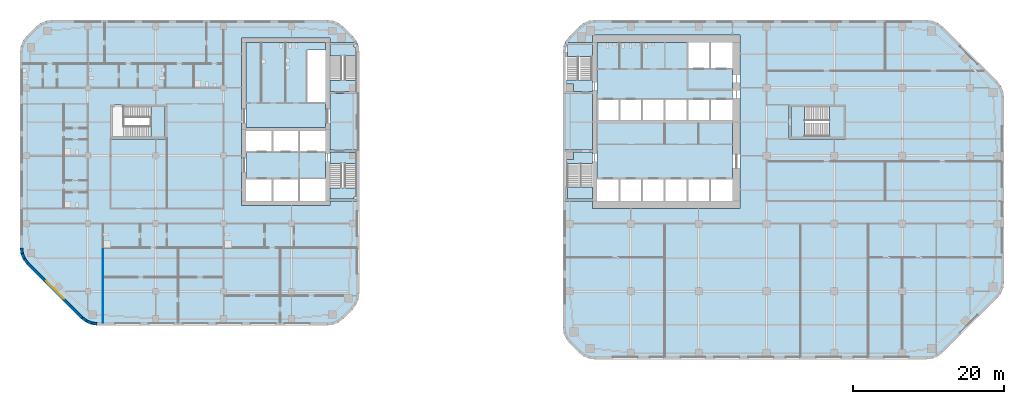
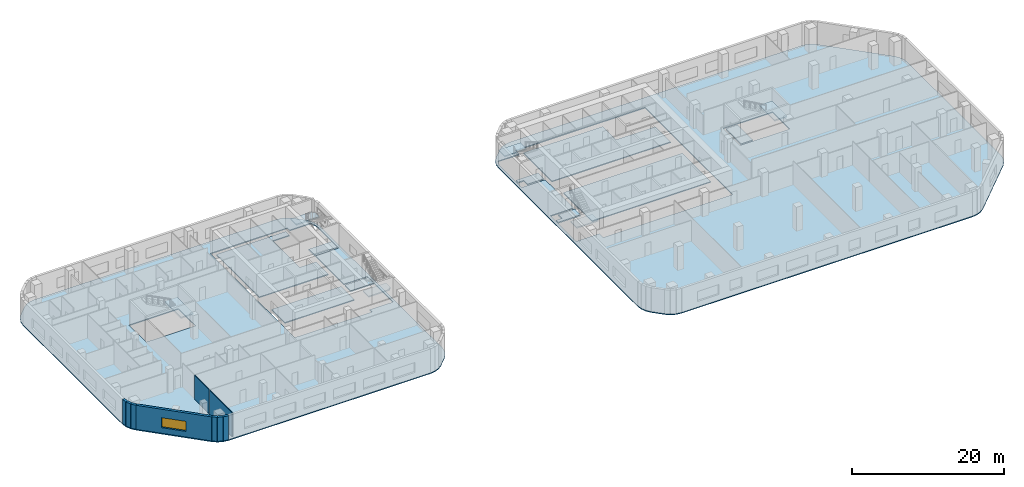
# One storey, part 4 of 16: 17 slabs, 9 walls, 1 window, 1 opening, 6 elements without a shape of their own.
"""IFC4 building model written with IfcOpenShell, lengths in metres."""

from ifc_helpers import new_model, si_unit, direction, frame, frame_2d, origin, place, context, subcontext, project, spatial, polyline, rectangle, outline, extrude, material, layer, layer_set, type_object, element, fill, aggregate, save


model = new_model("IFC4")

# Units and contexts
model_context = context("Model", 3, precision=1e-05, world=origin(), true_north=direction((0.0, 1.0)))
body_context = subcontext(model_context, "Body", "Model", "MODEL_VIEW")
ifc_project = project(units=[si_unit("LENGTHUNIT", "METRE"), si_unit("AREAUNIT", "SQUARE_METRE"), si_unit("VOLUMEUNIT", "CUBIC_METRE"), si_unit("PLANEANGLEUNIT", "RADIAN"), si_unit("MASSUNIT", "GRAM", prefix="KILO")], contexts=[model_context])

# Site, building, storey
site_placement = place(None, origin())
site = spatial("IfcSite", under=ifc_project, at=site_placement, CompositionType="ELEMENT")
building_placement = place(site_placement, origin())
building = spatial("IfcBuilding", under=site, at=building_placement, Name="Cinnabar Reach Civic Tower", CompositionType="ELEMENT")
storey_placement = place(building_placement, frame((0.0, 0.0, 34.0)))
storey = spatial("IfcBuildingStorey", under=building, at=storey_placement, Name="L07", CompositionType="ELEMENT", Elevation=34.0)

# Slabs
ifc_material_1 = material(Name="Concrete C40", Category="concrete")
ifc_layer_1 = layer(ifc_material_1, 0.15)
ifc_layer_set_1 = layer_set([ifc_layer_1], Name="Composite floor slab 150 REI 120")
slab_type_1 = type_object("IfcSlabType", Name="Composite floor slab 150 REI 120", PredefinedType="FLOOR", material=ifc_layer_set_1)
slab_1_placement = place(storey_placement, frame((0.0, 0.0, -0.15)))
element("IfcSlab", 1, at=slab_1_placement, inside=storey, type_object=slab_type_1, Name="Composite floor slab 150 T2 L07", PredefinedType="FLOOR", context=body_context, shape_type="SweptSolid", body=[
    extrude(outline(polyline([(-71.1213, 12.6213), (-71.5981, 13.2426), (-71.8978, 13.9662), (-72.0, 14.7426), (-72.0, 40.7574), (-71.8978, 41.5338), (-71.5981, 42.2574), (-71.1213, 42.8787), (-69.8787, 44.1213), (-69.2574, 44.5981), (-68.5338, 44.8978), (-67.7574, 45.0), (-31.2426, 45.0), (-30.4662, 44.8978), (-29.7426, 44.5981), (-29.1213, 44.1213), (-27.8787, 42.8787), (-27.4019, 42.2574), (-27.1022, 41.5338), (-27.0, 40.7574), (-27.0, 8.7426), (-27.1022, 7.9662), (-27.4019, 7.2426), (-27.8787, 6.6213), (-29.1213, 5.3787), (-29.7426, 4.9019), (-30.4662, 4.6022), (-31.2426, 4.5), (-61.7574, 4.5), (-62.5338, 4.6022), (-63.2574, 4.9019), (-63.8787, 5.3787), (-71.1213, 12.6213)]), holes=[polyline([(-30.9, 27.75), (-30.9, 35.25), (-27.36, 35.25), (-27.36, 40.7338), (-27.453, 41.4398), (-27.685, 42.0), (-30.9, 42.0), (-30.9, 42.6), (-42.6, 42.6), (-42.6, 20.4), (-30.9, 20.4), (-30.9, 21.0), (-27.36, 21.0), (-27.36, 27.75), (-30.9, 27.75)]), polyline([(-60.0, 33.75), (-60.0, 29.25), (-52.5, 29.25), (-52.5, 33.75), (-60.0, 33.75)])]), origin(), (0.0, 0.0, 1.0), 0.15),
])
ifc_layer_2 = layer(ifc_material_1, 0.15)
ifc_layer_set_2 = layer_set([ifc_layer_2], Name="Composite floor slab 150 REI 150")
slab_type_2 = type_object("IfcSlabType", Name="Composite floor slab 150 REI 150", PredefinedType="FLOOR", material=ifc_layer_set_2)
slab_2_placement = place(storey_placement, frame((0.0, 0.0, -0.15)))
element("IfcSlab", 2, at=slab_2_placement, inside=storey, type_object=slab_type_2, Name="Composite floor slab 150 T1 L07", PredefinedType="FLOOR", context=body_context, shape_type="SweptSolid", body=[
    extrude(outline(polyline([(0.8787, 2.1213), (0.4019, 2.7426), (0.1022, 3.4662), (0.0, 4.2426), (0.0, 40.7574), (0.1022, 41.5338), (0.4019, 42.2574), (0.8787, 42.8787), (2.1213, 44.1213), (2.7426, 44.5981), (3.4662, 44.8978), (4.2426, 45.0), (48.2574, 45.0), (49.0338, 44.8978), (49.7574, 44.5981), (50.3787, 44.1213), (57.6213, 36.8787), (58.0981, 36.2574), (58.3978, 35.5338), (58.5, 34.7574), (58.5, 10.2426), (58.3978, 9.4662), (58.0981, 8.7426), (57.6213, 8.1213), (50.3787, 0.8787), (49.7574, 0.4019), (49.0338, 0.1022), (48.2574, 0.0), (4.2426, 0.0), (3.4662, 0.1022), (2.7426, 0.4019), (2.1213, 0.8787), (0.8787, 2.1213)]), holes=[polyline([(0.36, 21.0), (3.9, 21.0), (3.9, 20.0), (23.5, 20.0), (23.5, 43.0), (3.9, 43.0), (3.9, 42.0), (0.685, 42.0), (0.453, 41.4398), (0.36, 40.7338), (0.36, 35.25), (3.9, 35.25), (3.9, 27.75), (0.36, 27.75), (0.36, 21.0)]), polyline([(30.0, 33.75), (30.0, 29.25), (37.5, 29.25), (37.5, 33.75), (30.0, 33.75)])]), origin(), (0.0, 0.0, 1.0), 0.15),
])

# Stair, slabs
ifc_material_2 = material(Name="Concrete C40/50", Category="concrete")
stair_type_1 = type_object("IfcStairType", Name="T1 Exit stair, half-turn", PredefinedType="HALF_TURN_STAIR", material=ifc_material_2)
stair_1_placement = place(storey_placement, origin())
stair_1 = element("IfcStair", 3, at=stair_1_placement, inside=storey, type_object=stair_type_1, Name="Stair T1-S1", PredefinedType="HALF_TURN_STAIR")
ifc_layer_3 = layer(ifc_material_2, 0.2)
ifc_layer_set_3 = layer_set([ifc_layer_3], Name="T1 Stair landing 200, Concrete C40/50")
slab_type_3 = type_object("IfcSlabType", Name="T1 Stair landing 200, Concrete C40/50", PredefinedType="LANDING", material=ifc_layer_set_3)
slab_3_placement = place(storey_placement, frame((0.0, 0.0, -0.2)))
slab_3 = element("IfcSlab", 4, at=slab_3_placement, type_object=slab_type_3, Name="T1-S1 landing 1", PredefinedType="LANDING", context=body_context, shape_type="SweptSolid", body=[
    extrude(outline(polyline([(3.9, 27.5), (3.9, 25.95), (0.5, 25.95), (0.5, 26.5), (1.4, 26.5), (1.4, 27.5), (3.9, 27.5)])), origin(), (0.0, 0.0, 1.0), 0.2),
])
slab_4_placement = place(storey_placement, frame((0.0, 0.0, 1.8)))
slab_4 = element("IfcSlab", 5, at=slab_4_placement, type_object=slab_type_3, Name="T1-S1 landing 2", PredefinedType="LANDING", context=body_context, shape_type="SweptSolid", body=[
    extrude(outline(polyline([(0.6, 21.25), (0.6, 22.87), (3.9, 22.87), (3.9, 21.25), (0.6, 21.25)])), origin(), (0.0, 0.0, 1.0), 0.2),
])
aggregate(stair_1, [slab_3, slab_4])

stair_2_placement = place(storey_placement, origin())
stair_2 = element("IfcStair", 6, at=stair_2_placement, inside=storey, type_object=stair_type_1, Name="Stair T1-S2", PredefinedType="HALF_TURN_STAIR")
slab_5_placement = place(storey_placement, frame((0.0, 0.0, -0.2)))
slab_5 = element("IfcSlab", 7, at=slab_5_placement, type_object=slab_type_3, Name="T1-S2 landing 1", PredefinedType="LANDING", context=body_context, shape_type="SweptSolid", body=[
    extrude(outline(polyline([(0.5, 37.05), (3.9, 37.05), (3.9, 35.5), (1.4, 35.5), (1.4, 36.5), (0.5, 36.5), (0.5, 37.05)])), origin(), (0.0, 0.0, 1.0), 0.2),
])
slab_6_placement = place(storey_placement, frame((0.0, 0.0, 1.8)))
slab_6 = element("IfcSlab", 8, at=slab_6_placement, type_object=slab_type_3, Name="T1-S2 landing 2", PredefinedType="LANDING", context=body_context, shape_type="SweptSolid", body=[
    extrude(outline(polyline([(0.6, 40.13), (0.6, 41.75), (3.9, 41.75), (3.9, 40.13), (0.6, 40.13)])), origin(), (0.0, 0.0, 1.0), 0.2),
])
aggregate(stair_2, [slab_5, slab_6])

stair_3_placement = place(storey_placement, origin())
stair_3 = element("IfcStair", 9, at=stair_3_placement, inside=storey, type_object=stair_type_1, Name="Stair T1-S3", PredefinedType="HALF_TURN_STAIR")
slab_7_placement = place(storey_placement, frame((0.0, 0.0, -0.2)))
slab_7 = element("IfcSlab", 10, at=slab_7_placement, type_object=slab_type_3, Name="T1-S3 landing 1", PredefinedType="LANDING", context=body_context, shape_type="SweptSolid", body=[
    extrude(outline(polyline([(30.25, 29.5), (32.05, 29.5), (32.05, 33.5), (30.25, 33.5), (30.25, 29.5)])), origin(), (0.0, 0.0, 1.0), 0.2),
])
slab_8_placement = place(storey_placement, frame((0.0, 0.0, 1.8)))
slab_8 = element("IfcSlab", 11, at=slab_8_placement, type_object=slab_type_3, Name="T1-S3 landing 2", PredefinedType="LANDING", context=body_context, shape_type="SweptSolid", body=[
    extrude(outline(polyline([(35.35, 29.5), (37.25, 29.5), (37.25, 33.5), (35.35, 33.5), (35.35, 29.5)])), origin(), (0.0, 0.0, 1.0), 0.2),
])
aggregate(stair_3, [slab_7, slab_8])

# Slabs
ifc_layer_4 = layer(ifc_material_2, 0.15)
ifc_layer_set_4 = layer_set([ifc_layer_4], Name="T1 core floor slab 150")
slab_type_4 = type_object("IfcSlabType", Name="T1 core floor slab 150", PredefinedType="FLOOR", material=ifc_layer_set_4)
slab_9_placement = place(storey_placement, frame((0.0, 0.0, -0.15)))
element("IfcSlab", 12, at=slab_9_placement, inside=storey, type_object=slab_type_4, Name="Core floor slab L07", PredefinedType="FLOOR", context=body_context, shape_type="SweptSolid", body=[
    extrude(outline(polyline([(22.5, 24.0), (19.5, 24.0), (16.5, 24.0), (13.5, 24.0), (10.5, 24.0), (7.5, 24.0), (4.5, 24.0), (4.5, 31.5), (7.5, 31.5), (10.5, 31.5), (13.5, 31.5), (16.5, 31.5), (19.5, 31.5), (22.5, 31.5), (22.5, 24.0)])), origin(), (0.0, 0.0, 1.0), 0.15),
])
slab_10_placement = place(storey_placement, frame((0.0, 0.0, -0.15)))
element("IfcSlab", 13, at=slab_10_placement, inside=storey, type_object=slab_type_4, Name="Core floor slab L07", PredefinedType="FLOOR", context=body_context, shape_type="SweptSolid", body=[
    extrude(outline(polyline([(22.5, 34.5), (19.5, 34.5), (16.5, 34.5), (13.5, 34.5), (10.5, 34.5), (7.5, 34.5), (4.5, 34.5), (4.5, 42.0), (16.5, 42.0), (16.5, 38.5), (19.5, 38.5), (22.5, 38.5), (22.5, 34.5)])), origin(), (0.0, 0.0, 1.0), 0.15),
])
ifc_layer_5 = layer(ifc_material_1, 0.15)
ifc_layer_set_5 = layer_set([ifc_layer_5], Name="T2 Core floor slab 150")
slab_type_5 = type_object("IfcSlabType", Name="T2 Core floor slab 150", PredefinedType="FLOOR", material=ifc_layer_set_5)
slab_11_placement = place(storey_placement, frame((0.0, 0.0, -0.15)))
element("IfcSlab", 14, at=slab_11_placement, inside=storey, type_object=slab_type_5, Name="Core floor slab L07", PredefinedType="FLOOR", context=body_context, shape_type="SweptSolid", body=[
    extrude(outline(polyline([(-42.0, 42.0), (-31.5, 42.0), (-31.5, 41.0), (-34.0, 41.0), (-34.0, 34.0), (-31.5, 34.0), (-31.5, 30.75), (-42.0, 30.75), (-42.0, 42.0)])), origin(), (0.0, 0.0, 1.0), 0.15),
])
slab_12_placement = place(storey_placement, frame((0.0, 0.0, -0.15)))
element("IfcSlab", 15, at=slab_12_placement, inside=storey, type_object=slab_type_5, Name="Core floor slab L07", PredefinedType="FLOOR", context=body_context, shape_type="SweptSolid", body=[
    extrude(outline(polyline([(-35.0, 24.0), (-38.5, 24.0), (-42.0, 24.0), (-42.0, 27.5), (-38.5, 27.5), (-35.0, 27.5), (-31.5, 27.5), (-31.5, 24.0), (-35.0, 24.0)])), origin(), (0.0, 0.0, 1.0), 0.15),
])

# Stair, slabs
stair_type_2 = type_object("IfcStairType", Name="T2 Exit stair 1500", PredefinedType="HALF_TURN_STAIR", material=ifc_material_1)
stair_4_placement = place(storey_placement, origin())
stair_4 = element("IfcStair", 16, at=stair_4_placement, inside=storey, type_object=stair_type_2, Name="Exit stair 1", PredefinedType="HALF_TURN_STAIR")
ifc_layer_6 = layer(ifc_material_1, 0.2)
ifc_layer_set_6 = layer_set([ifc_layer_6], Name="T2 Stair landing 200")
slab_type_6 = type_object("IfcSlabType", Name="T2 Stair landing 200", PredefinedType="LANDING", material=ifc_layer_set_6)
slab_13_placement = place(storey_placement, frame((0.0, 0.0, -0.2)))
slab_13 = element("IfcSlab", 17, at=slab_13_placement, type_object=slab_type_6, Name="ST1 landing 1", PredefinedType="LANDING", context=body_context, shape_type="SweptSolid", body=[
    extrude(outline(polyline([(-30.9, 26.0), (-30.9, 27.5), (-27.4, 27.5), (-27.4, 26.0), (-30.9, 26.0)])), origin(), (0.0, 0.0, 1.0), 0.2),
])
slab_14_placement = place(storey_placement, frame((0.0, 0.0, 1.8)))
slab_14 = element("IfcSlab", 18, at=slab_14_placement, type_object=slab_type_6, Name="ST1 landing 2", PredefinedType="LANDING", context=body_context, shape_type="SweptSolid", body=[
    extrude(outline(polyline([(-30.9, 21.25), (-30.9, 22.75), (-27.4, 22.75), (-27.4, 21.55), (-27.7, 21.55), (-27.7, 21.25), (-30.9, 21.25)])), origin(), (0.0, 0.0, 1.0), 0.2),
])
aggregate(stair_4, [slab_13, slab_14])

stair_5_placement = place(storey_placement, origin())
stair_5 = element("IfcStair", 19, at=stair_5_placement, inside=storey, type_object=stair_type_2, Name="Exit stair 2", PredefinedType="HALF_TURN_STAIR")
slab_15_placement = place(storey_placement, frame((0.0, 0.0, -0.2)))
slab_15 = element("IfcSlab", 20, at=slab_15_placement, type_object=slab_type_6, Name="ST2 landing 1", PredefinedType="LANDING", context=body_context, shape_type="SweptSolid", body=[
    extrude(outline(polyline([(-30.9, 35.5), (-30.9, 37.0), (-27.4, 37.0), (-27.4, 35.5), (-30.9, 35.5)])), origin(), (0.0, 0.0, 1.0), 0.2),
])
slab_16_placement = place(storey_placement, frame((0.0, 0.0, 1.8)))
slab_16 = element("IfcSlab", 21, at=slab_16_placement, type_object=slab_type_6, Name="ST2 landing 2", PredefinedType="LANDING", context=body_context, shape_type="SweptSolid", body=[
    extrude(outline(polyline([(-27.4, 40.25), (-30.9, 40.25), (-30.9, 41.75), (-27.7, 41.75), (-27.7, 41.45), (-27.4, 41.45), (-27.4, 40.25)])), origin(), (0.0, 0.0, 1.0), 0.2),
])
aggregate(stair_5, [slab_15, slab_16])

# Stair, slab
stair_6_placement = place(storey_placement, origin())
stair_6 = element("IfcStair", 22, at=stair_6_placement, inside=storey, type_object=stair_type_2, Name="Exit stair 3", PredefinedType="HALF_TURN_STAIR")
slab_17_placement = place(storey_placement, frame((0.0, 0.0, 1.8)))
slab_17 = element("IfcSlab", 23, at=slab_17_placement, type_object=slab_type_6, Name="ST3 landing 2", PredefinedType="LANDING", context=body_context, shape_type="SweptSolid", body=[
    extrude(outline(polyline([(-54.65, 29.375), (-54.65, 33.625), (-52.75, 33.625), (-52.75, 29.375), (-54.65, 29.375)])), origin(), (0.0, 0.0, 1.0), 0.2),
])
aggregate(stair_6, [slab_17])

# Walls
ifc_material_3 = material(Name="Facing brick with insulated backing", Category="masonry")
ifc_layer_7 = layer(ifc_material_3, 0.36)
ifc_layer_set_7 = layer_set([ifc_layer_7], Name="Brick corner wall")
wall_type_1 = type_object("IfcWallType", Name="Brick corner wall", PredefinedType="STANDARD", material=ifc_layer_set_7)
for number, where, z_axis, x_axis, name in (
    (24, (-71.817, 14.7314, 0.0), (0.0, 0.0, 1.0), (0.13055608231, -0.99144092581, 0.0), "Brick corner wall"),
    (25, (-71.7181, 14.0027, 0.0), (0.0, 0.0, 1.0), (0.382702709855, -0.923871547278, 0.0), "Brick corner wall"),
):
    element("IfcWall", number, at=place(storey_placement, frame(where, z_axis=z_axis, x_axis=x_axis)), inside=storey, type_object=wall_type_1, Name=name, PredefinedType="STANDARD", context=body_context, shape_type="SweptSolid", body=[
        extrude(rectangle(XDim=0.7131, YDim=0.36, at=frame_2d((0.3565, 0.0))), origin(), (0.0, 0.0, 1.0), 3.85),
    ])
for number, where, z_axis, x_axis, name in (
    (26, (-71.434, 13.3245, 0.0), (0.0, 0.0, 1.0), (0.608802368033, -0.793321924995, 0.0), "Brick corner wall"),
    (27, (-63.7413, 5.5002, 0.0), (0.0, 0.0, 1.0), (0.793321924995, -0.608802368033, 0.0), "Brick corner wall"),
):
    element("IfcWall", number, at=place(storey_placement, frame(where, z_axis=z_axis, x_axis=x_axis)), inside=storey, type_object=wall_type_1, Name=name, PredefinedType="STANDARD", context=body_context, shape_type="SweptSolid", body=[
        extrude(rectangle(XDim=0.7132, YDim=0.36, at=frame_2d((0.3566, 0.0))), origin(), (0.0, 0.0, 1.0), 3.85),
    ])
for number, where, z_axis, x_axis, name in (
    (28, (-63.1561, 5.0548, 0.0), (0.0, 0.0, 1.0), (0.923871547278, -0.382702709855, 0.0), "Brick corner wall"),
    (29, (-62.4756, 4.7761, 0.0), (0.0, 0.0, 1.0), (0.99144092581, -0.13055608231, 0.0), "Brick corner wall"),
):
    element("IfcWall", number, at=place(storey_placement, frame(where, z_axis=z_axis, x_axis=x_axis)), inside=storey, type_object=wall_type_1, Name=name, PredefinedType="STANDARD", context=body_context, shape_type="SweptSolid", body=[
        extrude(rectangle(XDim=0.7131, YDim=0.36, at=frame_2d((0.3565, 0.0))), origin(), (0.0, 0.0, 1.0), 3.85),
    ])

# Wall, opening, window
ifc_layer_8 = layer(ifc_material_3, 0.36)
ifc_layer_set_8 = layer_set([ifc_layer_8], Name="Brick pier and spandrel wall")
wall_type_2 = type_object("IfcWallType", Name="Brick pier and spandrel wall", PredefinedType="STANDARD", material=ifc_layer_set_8)
wall_1_placement = place(storey_placement, frame((-70.994, 12.7486, 0.0), z_axis=(0.0, 0.0, 1.0), x_axis=(0.707106781187, -0.707106781187, 0.0)))
wall_1 = element("IfcWall", 30, at=wall_1_placement, inside=storey, type_object=wall_type_2, Name="Brick facade wall", PredefinedType="STANDARD", context=body_context, shape_type="SweptSolid", body=[
    extrude(rectangle(XDim=10.2426, YDim=0.36, at=frame_2d((5.1213, 0.0))), origin(), (0.0, 0.0, 1.0), 3.85),
])
opening_placement = place(wall_1_placement, frame((3.4713, 0.0, 0.9)))
opening = element("IfcOpeningElement", 31, at=opening_placement, cuts=wall_1, Name="Opening W2415", PredefinedType="OPENING", context=body_context, shape_type="SweptSolid", body=[
    extrude(rectangle(XDim=3.3, YDim=1.6, at=frame_2d((1.65, 0.8))), frame((0.0, 0.19, 0.0), z_axis=(0.0, -1.0, 0.0), x_axis=(1.0, 0.0, 0.0)), (0.0, 0.0, 1.0), 0.38),
])
ifc_material_4 = material(Name="Clear double glazing in aluminium frame", Category="aluminium")
window_type = type_object("IfcWindowType", Name="Deep-set window A", PartitioningType="SINGLE_PANEL", PredefinedType="WINDOW", material=ifc_material_4)
window_placement = place(opening_placement, origin())
window = element("IfcWindow", 32, at=window_placement, inside=storey, type_object=window_type, Name="Window southwest face", OverallHeight=1.6, OverallWidth=3.3, PartitioningType="SINGLE_PANEL", PredefinedType="WINDOW", context=body_context, shape_type="SweptSolid", body=[
    extrude(rectangle(XDim=3.3, YDim=1.6, at=frame_2d((1.65, 0.8))), frame((0.0, 0.13, 0.0), z_axis=(0.0, -1.0, 0.0), x_axis=(1.0, 0.0, 0.0)), (0.0, 0.0, 1.0), 0.06),
])
fill(opening, window)

# Walls
ifc_material_5 = material(Name="Gypsum board on steel studs", Category="steel")
ifc_layer_9 = layer(ifc_material_5, 0.1)
ifc_layer_set_9 = layer_set([ifc_layer_9], Name="Partition wall 100 T2")
wall_type_3 = type_object("IfcWallType", Name="Partition wall 100 T2", PredefinedType="PARTITIONING", material=ifc_layer_set_9)
wall_2_placement = place(storey_placement, frame((-61.0, 10.9433, 0.0), z_axis=(0.0, 0.0, 1.0), x_axis=(0.0, 1.0, 0.0)))
element("IfcWall", 33, at=wall_2_placement, inside=storey, type_object=wall_type_3, Name="Partition wall 33", PredefinedType="PARTITIONING", context=body_context, shape_type="SweptSolid", body=[
    extrude(rectangle(XDim=3.8067, YDim=0.1, at=frame_2d((1.9034, 0.0))), origin(), (0.0, 0.0, 1.0), 3.85),
])
wall_3_placement = place(storey_placement, frame((-61.0, 4.86, 0.0), z_axis=(0.0, 0.0, 1.0), x_axis=(0.0, 1.0, 0.0)))
element("IfcWall", 34, at=wall_3_placement, inside=storey, type_object=wall_type_3, Name="Partition wall 34", PredefinedType="PARTITIONING", context=body_context, shape_type="SweptSolid", body=[
    extrude(rectangle(XDim=5.9833, YDim=0.1, at=frame_2d((2.9916, 0.0))), origin(), (0.0, 0.0, 1.0), 3.85),
])

save(model, "model.ifc")
